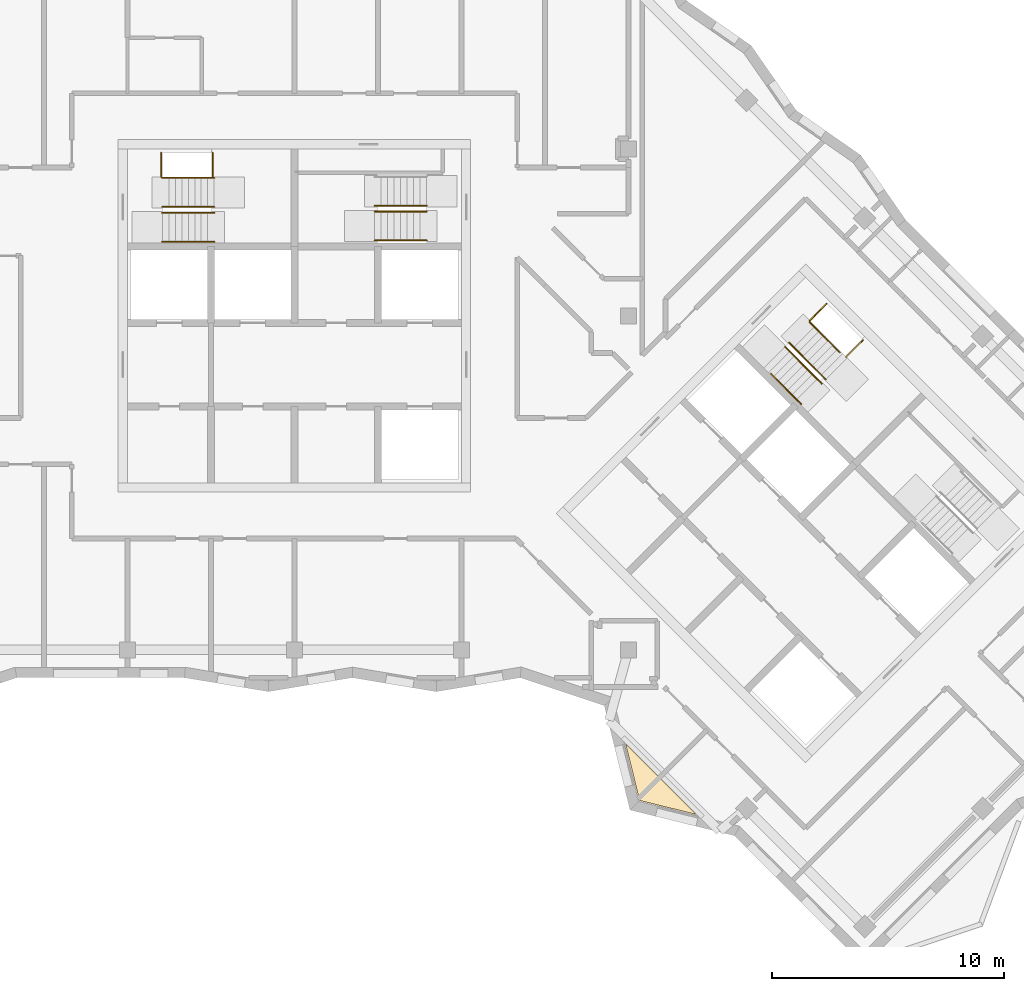
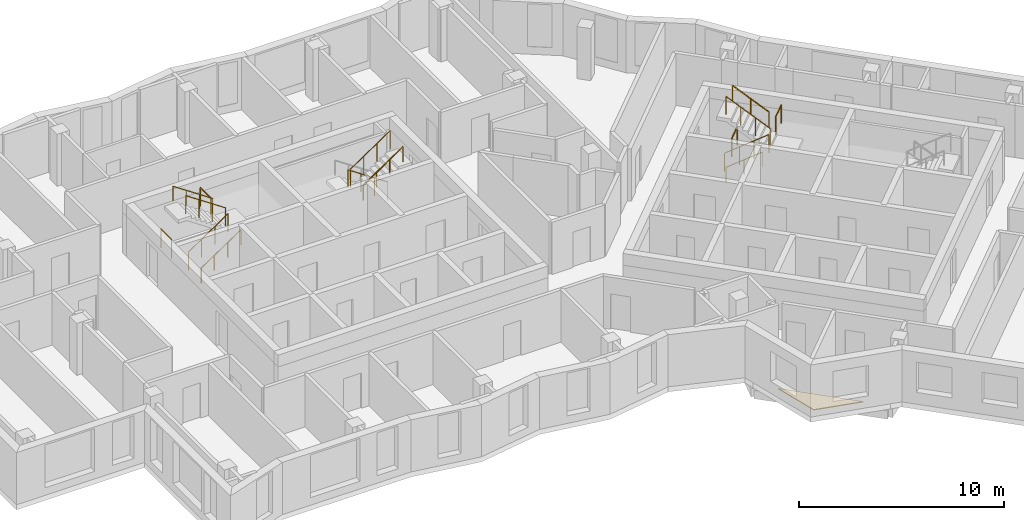
# One storey, part 10 of 12: 15 railings, 1 covering.
"""IFC4 building model written with IfcOpenShell, lengths in metres."""

from ifc_helpers import new_model, si_unit, direction, frame, origin, origin_2d, place, context, subcontext, project, spatial, polyline, circle, outline, extrude, material, layer, layer_set, type_object, element, save


model = new_model("IFC4")

# Units and contexts
model_context = context("Model", 3, precision=1e-05, world=origin(), true_north=direction((0.0, 1.0)))
body_context = subcontext(model_context, "Body", "Model", "MODEL_VIEW")
ifc_project = project(units=[si_unit("LENGTHUNIT", "METRE"), si_unit("AREAUNIT", "SQUARE_METRE"), si_unit("VOLUMEUNIT", "CUBIC_METRE"), si_unit("PLANEANGLEUNIT", "RADIAN"), si_unit("MASSUNIT", "GRAM", prefix="KILO")], contexts=[model_context])

# Site, building, storey
site_placement = place(None, origin())
site = spatial("IfcSite", under=ifc_project, at=site_placement, CompositionType="ELEMENT")
building_placement = place(site_placement, origin())
building = spatial("IfcBuilding", under=site, at=building_placement, Name="Windrow Commons", CompositionType="ELEMENT")
storey_placement = place(building_placement, frame((0.0, 0.0, 277.8)))
storey = spatial("IfcBuildingStorey", under=building, at=storey_placement, Name="L76", CompositionType="ELEMENT", Elevation=277.8)

# Railings
ifc_material_1 = material(Name="Steel S355", Category="steel")
railing_type_1 = type_object("IfcRailingType", Name="Core stair guard 1100", PredefinedType="GUARDRAIL", material=ifc_material_1)
railing_1_placement = place(storey_placement, frame((59.1, 62.05, 0.1889)))
element("IfcRailing", 1, at=railing_1_placement, inside=storey, type_object=railing_type_1, Name="L76 ST-A1 stair guard 1", PredefinedType="GUARDRAIL", context=body_context, shape_type="SweptSolid", body=[
    extrude(circle(Radius=0.024, at=origin_2d()), frame((0.0, 0.0, 1.076), z_axis=(0.8290030985, 0.0, 0.5592440099), x_axis=(0.0, 1.0, 0.0)), (0.0, 0.0, 1.0), 2.702),
    extrude(circle(Radius=0.021, at=origin_2d()), origin(), (0.0, 0.0, 1.0), 1.052),
    extrude(circle(Radius=0.021, at=origin_2d()), frame((0.7467, 0.0, 0.5037)), (0.0, 0.0, 1.0), 1.052),
    extrude(circle(Radius=0.021, at=origin_2d()), frame((1.4933, 0.0, 1.0074)), (0.0, 0.0, 1.0), 1.052),
    extrude(circle(Radius=0.021, at=origin_2d()), frame((2.24, 0.0, 1.5111)), (0.0, 0.0, 1.0), 1.052),
])
railing_2_placement = place(storey_placement, frame((61.34, 62.3, 1.8889)))
element("IfcRailing", 2, at=railing_2_placement, inside=storey, type_object=railing_type_1, Name="L76 ST-A1 stair guard 2", PredefinedType="GUARDRAIL", context=body_context, shape_type="SweptSolid", body=[
    extrude(circle(Radius=0.024, at=origin_2d()), frame((0.0, 0.0, 1.076), z_axis=(-0.8290030985, 0.0, 0.5592440099), x_axis=(0.0, -1.0, 0.0)), (0.0, 0.0, 1.0), 2.702),
    extrude(circle(Radius=0.021, at=origin_2d()), origin(), (0.0, 0.0, 1.0), 1.052),
    extrude(circle(Radius=0.021, at=origin_2d()), frame((-0.7467, 0.0, 0.5037)), (0.0, 0.0, 1.0), 1.052),
    extrude(circle(Radius=0.021, at=origin_2d()), frame((-1.4933, 0.0, 1.0074)), (0.0, 0.0, 1.0), 1.052),
    extrude(circle(Radius=0.021, at=origin_2d()), frame((-2.24, 0.0, 1.5111)), (0.0, 0.0, 1.0), 1.052),
])
for number, where, name in (
    (3, (59.05, 63.6, 0.0), "L76 ST-A1 stair guard 3"),
    (4, (61.27, 63.6, 1.7), "L76 ST-A1 stair guard 4"),
):
    element("IfcRailing", number, at=place(storey_placement, frame(where)), inside=storey, type_object=railing_type_1, Name=name, PredefinedType="GUARDRAIL", context=body_context, shape_type="SweptSolid", body=[
        extrude(circle(Radius=0.024, at=origin_2d()), frame((0.0, 0.0, 1.076), z_axis=(0.0, 1.0, 0.0), x_axis=(-1.0, 0.0, 0.0)), (0.0, 0.0, 1.0), 1.03),
        extrude(circle(Radius=0.021, at=origin_2d()), origin(), (0.0, 0.0, 1.0), 1.052),
        extrude(circle(Radius=0.021, at=origin_2d()), frame((0.0, 1.03, 0.0)), (0.0, 0.0, 1.0), 1.052),
    ])
railing_3_placement = place(storey_placement, frame((70.5, 62.355, 0.1889)))
element("IfcRailing", 5, at=railing_3_placement, inside=storey, type_object=railing_type_1, Name="L76 ST-A2 stair guard 1", PredefinedType="GUARDRAIL", context=body_context, shape_type="SweptSolid", body=[
    extrude(circle(Radius=0.024, at=origin_2d()), frame((0.0, 0.0, 1.076), z_axis=(-0.8290030985, 0.0, 0.5592440099), x_axis=(0.0, -1.0, 0.0)), (0.0, 0.0, 1.0), 2.702),
    extrude(circle(Radius=0.021, at=origin_2d()), origin(), (0.0, 0.0, 1.0), 1.052),
    extrude(circle(Radius=0.021, at=origin_2d()), frame((-0.7467, 0.0, 0.5037)), (0.0, 0.0, 1.0), 1.052),
    extrude(circle(Radius=0.021, at=origin_2d()), frame((-1.4933, 0.0, 1.0074)), (0.0, 0.0, 1.0), 1.052),
    extrude(circle(Radius=0.021, at=origin_2d()), frame((-2.24, 0.0, 1.5111)), (0.0, 0.0, 1.0), 1.052),
])
railing_4_placement = place(storey_placement, frame((68.26, 62.105, 1.8889)))
element("IfcRailing", 6, at=railing_4_placement, inside=storey, type_object=railing_type_1, Name="L76 ST-A2 stair guard 2", PredefinedType="GUARDRAIL", context=body_context, shape_type="SweptSolid", body=[
    extrude(circle(Radius=0.024, at=origin_2d()), frame((0.0, 0.0, 1.076), z_axis=(0.8290030985, 0.0, 0.5592440099), x_axis=(0.0, 1.0, 0.0)), (0.0, 0.0, 1.0), 2.702),
    extrude(circle(Radius=0.021, at=origin_2d()), origin(), (0.0, 0.0, 1.0), 1.052),
    extrude(circle(Radius=0.021, at=origin_2d()), frame((0.7467, 0.0, 0.5037)), (0.0, 0.0, 1.0), 1.052),
    extrude(circle(Radius=0.021, at=origin_2d()), frame((1.4933, 0.0, 1.0074)), (0.0, 0.0, 1.0), 1.052),
    extrude(circle(Radius=0.021, at=origin_2d()), frame((2.24, 0.0, 1.5111)), (0.0, 0.0, 1.0), 1.052),
])
railing_5_placement = place(storey_placement, frame((85.9529, 56.2669, 0.1889)))
element("IfcRailing", 7, at=railing_5_placement, inside=storey, type_object=railing_type_1, Name="L76 ST-B1 stair guard 1", PredefinedType="GUARDRAIL", context=body_context, shape_type="SweptSolid", body=[
    extrude(circle(Radius=0.024, at=origin_2d()), frame((0.0, 0.0, 1.076), z_axis=(0.5861914914, -0.5861914914, 0.5592486664), x_axis=(0.7071067812, 0.7071067812, 0.0)), (0.0, 0.0, 1.0), 2.702),
    extrude(circle(Radius=0.021, at=origin_2d()), origin(), (0.0, 0.0, 1.0), 1.052),
    extrude(circle(Radius=0.021, at=origin_2d()), frame((0.528, -0.528, 0.5037)), (0.0, 0.0, 1.0), 1.052),
    extrude(circle(Radius=0.021, at=origin_2d()), frame((1.0559, -1.0559, 1.0074)), (0.0, 0.0, 1.0), 1.052),
    extrude(circle(Radius=0.021, at=origin_2d()), frame((1.5839, -1.5839, 1.5111)), (0.0, 0.0, 1.0), 1.052),
])
railing_6_placement = place(storey_placement, frame((87.7136, 54.8597, 1.8889)))
element("IfcRailing", 8, at=railing_6_placement, inside=storey, type_object=railing_type_1, Name="L76 ST-B1 stair guard 2", PredefinedType="GUARDRAIL", context=body_context, shape_type="SweptSolid", body=[
    extrude(circle(Radius=0.024, at=origin_2d()), frame((0.0, 0.0, 1.076), z_axis=(-0.5862030657, 0.5862030657, 0.5592244018), x_axis=(-0.7071067812, -0.7071067812, 0.0)), (0.0, 0.0, 1.0), 2.7021),
    extrude(circle(Radius=0.021, at=origin_2d()), origin(), (0.0, 0.0, 1.0), 1.052),
    extrude(circle(Radius=0.021, at=origin_2d()), frame((-0.528, 0.528, 0.5037)), (0.0, 0.0, 1.0), 1.052),
    extrude(circle(Radius=0.021, at=origin_2d()), frame((-1.056, 1.056, 1.0074)), (0.0, 0.0, 1.0), 1.052),
    extrude(circle(Radius=0.021, at=origin_2d()), frame((-1.584, 1.584, 1.5111)), (0.0, 0.0, 1.0), 1.052),
])
railing_7_placement = place(storey_placement, frame((87.0135, 57.3982, 0.0)))
element("IfcRailing", 9, at=railing_7_placement, inside=storey, type_object=railing_type_1, Name="L76 ST-B1 stair guard 3", PredefinedType="GUARDRAIL", context=body_context, shape_type="SweptSolid", body=[
    extrude(circle(Radius=0.024, at=origin_2d()), frame((0.0, 0.0, 1.076), z_axis=(0.7070582378, 0.7071553212, 0.0), x_axis=(-0.7071553212, 0.7070582378, 0.0)), (0.0, 0.0, 1.0), 1.03),
    extrude(circle(Radius=0.021, at=origin_2d()), origin(), (0.0, 0.0, 1.0), 1.052),
    extrude(circle(Radius=0.021, at=origin_2d()), frame((0.7283, 0.7284, 0.0)), (0.0, 0.0, 1.0), 1.052),
])
railing_8_placement = place(storey_placement, frame((88.5833, 55.8285, 1.7)))
element("IfcRailing", 10, at=railing_8_placement, inside=storey, type_object=railing_type_1, Name="L76 ST-B1 stair guard 4", PredefinedType="GUARDRAIL", context=body_context, shape_type="SweptSolid", body=[
    extrude(circle(Radius=0.024, at=origin_2d()), frame((0.0, 0.0, 1.076), z_axis=(0.7071067812, 0.7071067812, 0.0), x_axis=(-0.7071067812, 0.7071067812, 0.0)), (0.0, 0.0, 1.0), 1.03),
    extrude(circle(Radius=0.021, at=origin_2d()), origin(), (0.0, 0.0, 1.0), 1.052),
    extrude(circle(Radius=0.021, at=origin_2d()), frame((0.7283, 0.7283, 0.0)), (0.0, 0.0, 1.0), 1.052),
])
ifc_material_2 = material(Name="Steel S355", Category="steel")
railing_type_2 = type_object("IfcRailingType", Name="Core stair handrail 900", PredefinedType="HANDRAIL", material=ifc_material_2)
railing_9_placement = place(storey_placement, frame((59.1, 60.8, 0.1889)))
element("IfcRailing", 11, at=railing_9_placement, inside=storey, type_object=railing_type_2, Name="L76 ST-A1 stair handrail 1", PredefinedType="HANDRAIL", context=body_context, shape_type="SweptSolid", body=[
    extrude(circle(Radius=0.024, at=origin_2d()), frame((0.0, 0.0, 0.876), z_axis=(0.8290030985, 0.0, 0.5592440099), x_axis=(0.0, 1.0, 0.0)), (0.0, 0.0, 1.0), 2.702),
    extrude(circle(Radius=0.021, at=origin_2d()), origin(), (0.0, 0.0, 1.0), 0.852),
    extrude(circle(Radius=0.021, at=origin_2d()), frame((0.7467, 0.0, 0.5037)), (0.0, 0.0, 1.0), 0.852),
    extrude(circle(Radius=0.021, at=origin_2d()), frame((1.4933, 0.0, 1.0074)), (0.0, 0.0, 1.0), 0.852),
    extrude(circle(Radius=0.021, at=origin_2d()), frame((2.24, 0.0, 1.5111)), (0.0, 0.0, 1.0), 0.852),
])
railing_10_placement = place(storey_placement, frame((61.34, 63.55, 1.8889)))
element("IfcRailing", 12, at=railing_10_placement, inside=storey, type_object=railing_type_2, Name="L76 ST-A1 stair handrail 2", PredefinedType="HANDRAIL", context=body_context, shape_type="SweptSolid", body=[
    extrude(circle(Radius=0.024, at=origin_2d()), frame((0.0, 0.0, 0.876), z_axis=(-0.8290030985, 0.0, 0.5592440099), x_axis=(0.0, -1.0, 0.0)), (0.0, 0.0, 1.0), 2.702),
    extrude(circle(Radius=0.021, at=origin_2d()), origin(), (0.0, 0.0, 1.0), 0.852),
    extrude(circle(Radius=0.021, at=origin_2d()), frame((-0.7467, 0.0, 0.5037)), (0.0, 0.0, 1.0), 0.852),
    extrude(circle(Radius=0.021, at=origin_2d()), frame((-1.4933, 0.0, 1.0074)), (0.0, 0.0, 1.0), 0.852),
    extrude(circle(Radius=0.021, at=origin_2d()), frame((-2.24, 0.0, 1.5111)), (0.0, 0.0, 1.0), 0.852),
])
railing_11_placement = place(storey_placement, frame((68.26, 60.855, 1.8889)))
element("IfcRailing", 13, at=railing_11_placement, inside=storey, type_object=railing_type_2, Name="L76 ST-A2 stair handrail 2", PredefinedType="HANDRAIL", context=body_context, shape_type="SweptSolid", body=[
    extrude(circle(Radius=0.024, at=origin_2d()), frame((0.0, 0.0, 0.876), z_axis=(0.8290030985, 0.0, 0.5592440099), x_axis=(0.0, 1.0, 0.0)), (0.0, 0.0, 1.0), 2.702),
    extrude(circle(Radius=0.021, at=origin_2d()), origin(), (0.0, 0.0, 1.0), 0.852),
    extrude(circle(Radius=0.021, at=origin_2d()), frame((0.7467, 0.0, 0.5037)), (0.0, 0.0, 1.0), 0.852),
    extrude(circle(Radius=0.021, at=origin_2d()), frame((1.4933, 0.0, 1.0074)), (0.0, 0.0, 1.0), 0.852),
    extrude(circle(Radius=0.021, at=origin_2d()), frame((2.24, 0.0, 1.5111)), (0.0, 0.0, 1.0), 0.852),
])
railing_12_placement = place(storey_placement, frame((85.3518, 55.1001, 0.4587)))
element("IfcRailing", 14, at=railing_12_placement, inside=storey, type_object=railing_type_2, Name="L76 ST-B1 stair handrail 1", PredefinedType="HANDRAIL", context=body_context, shape_type="SweptSolid", body=[
    extrude(circle(Radius=0.024, at=origin_2d()), frame((0.0, 0.0, 0.876), z_axis=(0.586206706, -0.5861616513, 0.5592639952), x_axis=(0.7070796062, 0.7071339551, 0.0)), (0.0, 0.0, 1.0), 2.2195),
    extrude(circle(Radius=0.021, at=origin_2d()), origin(), (0.0, 0.0, 1.0), 0.852),
    extrude(circle(Radius=0.021, at=origin_2d()), frame((0.6506, -0.6505, 0.6207)), (0.0, 0.0, 1.0), 0.852),
    extrude(circle(Radius=0.021, at=origin_2d()), frame((1.3011, -1.301, 1.2413)), (0.0, 0.0, 1.0), 0.852),
])
railing_13_placement = place(storey_placement, frame((88.3146, 56.0265, 2.1587)))
element("IfcRailing", 15, at=railing_13_placement, inside=storey, type_object=railing_type_2, Name="L76 ST-B1 stair handrail 2", PredefinedType="HANDRAIL", context=body_context, shape_type="SweptSolid", body=[
    extrude(circle(Radius=0.024, at=origin_2d()), frame((0.0, 0.0, 0.876), z_axis=(-0.586206706, 0.5861616513, 0.5592639952), x_axis=(-0.7070796062, -0.7071339551, 0.0)), (0.0, 0.0, 1.0), 2.2195),
    extrude(circle(Radius=0.021, at=origin_2d()), origin(), (0.0, 0.0, 1.0), 0.852),
    extrude(circle(Radius=0.021, at=origin_2d()), frame((-0.6506, 0.6505, 0.6206)), (0.0, 0.0, 1.0), 0.852),
    extrude(circle(Radius=0.021, at=origin_2d()), frame((-1.3011, 1.301, 1.2413)), (0.0, 0.0, 1.0), 0.852),
])

# Covering
ifc_material_3 = material(Name="Granite pavers on waterproofing membrane", Category="masonry")
ifc_layer = layer(ifc_material_3, 0.05)
ifc_layer_set = layer_set([ifc_layer], Name="Terrace roofing 50")
covering_type = type_object("IfcCoveringType", Name="Terrace roofing 50", PredefinedType="ROOFING", material=ifc_layer_set)
covering_placement = place(storey_placement, origin())
element("IfcCovering", 16, at=covering_placement, inside=storey, type_object=covering_type, Name="Terrace roofing TR-L76-1", PredefinedType="ROOFING", context=body_context, shape_type="SweptSolid", body=[
    extrude(outline(polyline([(82.1305, 36.1041), (79.6809, 36.7073), (79.0777, 39.1568), (82.1305, 36.1041)])), origin(), (0.0, 0.0, 1.0), 0.05),
])

save(model, "model.ifc")
